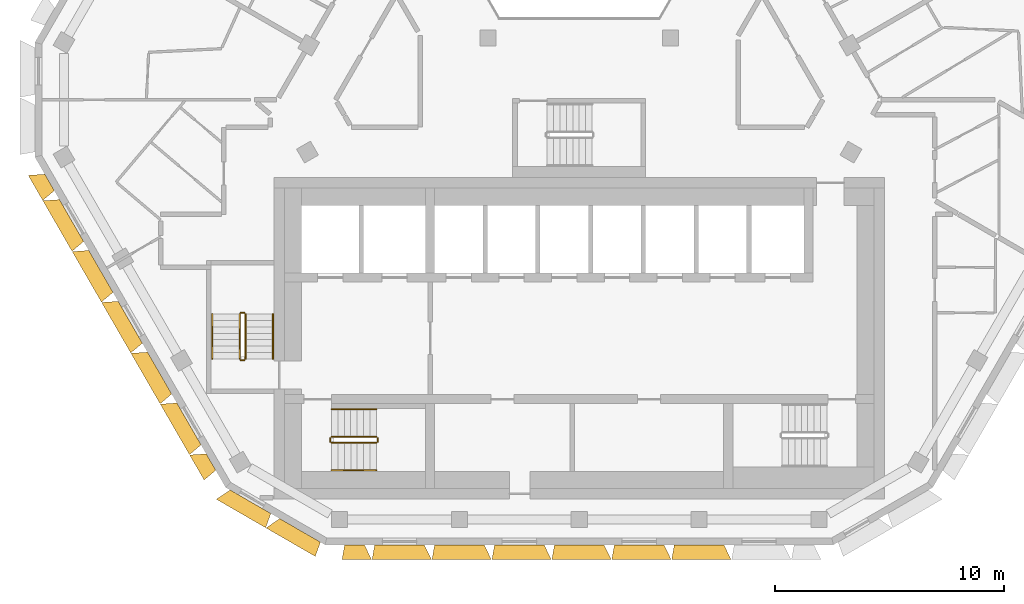
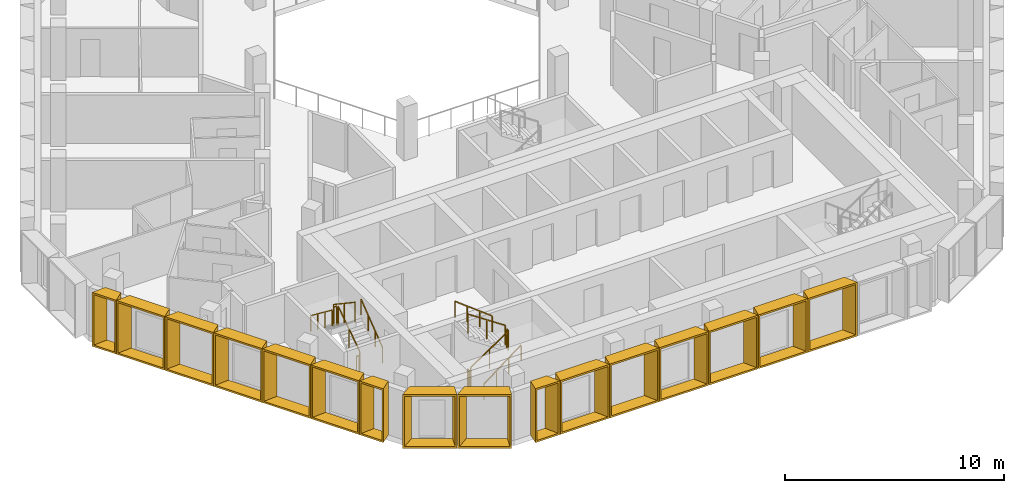
# One storey, part 11 of 15: 16 shading devices, 12 railings.
"""IFC4 building model written with IfcOpenShell, lengths in metres."""

import ifcopenshell
import ifcopenshell.guid

model = None  # the IFC model being written
_history = None  # IfcOwnerHistory: only IFC2X3 demands one
_inside = {}  # id of a spatial element -> (the spatial element, [elements in it])
_under = {}  # id of a project, library or spatial element -> (it, [spatial elements below it])
_declared = {}  # id of a project -> (the project, [libraries it declares])
_typed = {}  # id of a type object -> (the type object, [elements of that type])
_made_of = {}  # id of a material, layer set ... -> (it, [elements and type objects made of it])


def new_model(schema):
    """Start an empty IFC model of exactly this schema.

    Asked for "IFC4X3", IfcOpenShell would pick the latest addendum, in which some entities
    have other attributes; the version numbers below select the first issue.
    IFC2X3 requires an IfcOwnerHistory on every rooted entity: one is made here for all.
    """
    global model, _history
    if schema == "IFC4X3":
        model = ifcopenshell.file(schema_version=(4, 3, 0, 0))
    else:
        model = ifcopenshell.file(schema=schema)
    _inside.clear()
    _under.clear()
    _declared.clear()
    _typed.clear()
    _made_of.clear()
    _history = None
    if model.schema == "IFC2X3":
        org = make("IfcOrganization", Name="unknown")
        user = make(
            "IfcPersonAndOrganization",
            ThePerson=make("IfcPerson", FamilyName="unknown"),
            TheOrganization=org,
        )
        app = make(
            "IfcApplication",
            ApplicationDeveloper=org,
            Version="unknown",
            ApplicationFullName="unknown",
            ApplicationIdentifier="unknown",
        )
        _history = make(
            "IfcOwnerHistory",
            OwningUser=user,
            OwningApplication=app,
            ChangeAction="ADDED",
            CreationDate=0,
        )
    return model


def make(cls, **values):
    """One entity of the class cls with the attributes given. An attribute that is None is left unset."""
    return model.create_entity(
        cls, **{name: value for name, value in values.items() if value is not None}
    )


def entity(cls, *values):
    """Any entity or typed value of the class cls, its attributes in the order of the schema. None: left unset."""
    e = model.create_entity(cls)
    for i, value in enumerate(values):
        if value is not None:
            e[i] = value
    return e


def rooted(cls, **values):
    """An entity with a GlobalId (a new one), such as an element, a storey or a relation."""
    return make(cls, GlobalId=ifcopenshell.guid.new(), OwnerHistory=_history, **values)


def si_unit(unit_type, name, prefix=None):
    """IfcSIUnit, for example si_unit("LENGTHUNIT", "METRE", prefix="MILLI")."""
    return make("IfcSIUnit", UnitType=unit_type, Prefix=prefix, Name=name)


def assignment(units):
    """IfcUnitAssignment: the units of a project."""
    return None if units is None else make("IfcUnitAssignment", Units=units)


def point(xyz):
    """IfcCartesianPoint."""
    return None if xyz is None else make("IfcCartesianPoint", Coordinates=xyz)


def direction(xyz):
    """IfcDirection."""
    return None if xyz is None else make("IfcDirection", DirectionRatios=xyz)


def frame(location, z_axis=None, x_axis=None):
    """IfcAxis2Placement3D, a coordinate frame: its origin and axes. An axis left out is left unset."""
    return make(
        "IfcAxis2Placement3D",
        Location=point(location),
        Axis=direction(z_axis),
        RefDirection=direction(x_axis),
    )


def frame_2d(location, x_axis=None):
    """IfcAxis2Placement2D, a coordinate frame in the plane: its origin and x axis."""
    return make(
        "IfcAxis2Placement2D", Location=point(location), RefDirection=direction(x_axis)
    )


def origin():
    """The frame at (0, 0, 0) with its axes left unset."""
    return frame((0.0, 0.0, 0.0))


def origin_2d():
    """The frame at (0, 0) in the plane with its x axis left unset."""
    return frame_2d((0.0, 0.0))


def place(relative_to, where):
    """IfcLocalPlacement: puts the frame where relative to a parent placement (None: the world)."""
    return make(
        "IfcLocalPlacement", PlacementRelTo=relative_to, RelativePlacement=where
    )


def context(
    kind, dimensions, precision=None, world=None, true_north=None, identifier=None
):
    """IfcGeometricRepresentationContext, for example the 3D "Model" context."""
    return make(
        "IfcGeometricRepresentationContext",
        ContextIdentifier=identifier,
        ContextType=kind,
        CoordinateSpaceDimension=dimensions,
        Precision=precision,
        WorldCoordinateSystem=world,
        TrueNorth=true_north,
    )


def subcontext(parent, identifier, kind, view, scale=None):
    """IfcGeometricRepresentationSubContext, for example "Body" below "Model"."""
    return make(
        "IfcGeometricRepresentationSubContext",
        ContextIdentifier=identifier,
        ContextType=kind,
        ParentContext=parent,
        TargetScale=scale,
        TargetView=view,
    )


def project(units=None, contexts=None):
    """IfcProject with its units and contexts."""
    return rooted(
        "IfcProject",
        Name="project",
        RepresentationContexts=contexts,
        UnitsInContext=assignment(units),
    )


def spatial(cls, under=None, at=None, **own):
    """A site, building, storey or space (cls), placed at a placement, below another one or the project."""
    s = rooted(cls, ObjectPlacement=at, **own)
    if under is not None:
        _under.setdefault(under.id(), (under, []))[1].append(s)
    return s


def profile(cls, at=None, kind="AREA", **sizes):
    """A parametric profile (cls). Its sizes go by their IFC names, for example OverallWidth=200.0."""
    return make(cls, ProfileType=kind, Position=at, **sizes)


def rectangle(**sizes):
    """IfcRectangleProfileDef."""
    return profile("IfcRectangleProfileDef", **sizes)


def extrude(swept, where, along, depth):
    """IfcExtrudedAreaSolid: the profile swept, set in the frame where, extruded along a direction by depth."""
    return make(
        "IfcExtrudedAreaSolid",
        SweptArea=swept,
        Position=where,
        ExtrudedDirection=direction(along),
        Depth=depth,
    )


def shape(context_of_items, identifier, shape_type, items):
    """IfcShapeRepresentation: the items that make up one representation, for example the "Body"."""
    return make(
        "IfcShapeRepresentation",
        ContextOfItems=context_of_items,
        RepresentationIdentifier=identifier,
        RepresentationType=shape_type,
        Items=items,
    )


def source(mapping_origin, context_of_items, identifier, shape_type, items):
    """IfcRepresentationMap: a shape defined once, which mapped items show again and again."""
    return make(
        "IfcRepresentationMap",
        MappingOrigin=mapping_origin,
        MappedRepresentation=shape(context_of_items, identifier, shape_type, items),
    )


def transform(
    local_origin,
    x_axis=None,
    y_axis=None,
    z_axis=None,
    scale=None,
    scale2=None,
    scale3=None,
    uniform=True,
):
    """IfcCartesianTransformationOperator3D, or its non-uniform kind. x_axis, y_axis, z_axis: its Axis1, 2, 3."""
    if uniform:
        return make(
            "IfcCartesianTransformationOperator3D",
            Axis1=direction(x_axis),
            Axis2=direction(y_axis),
            LocalOrigin=point(local_origin),
            Scale=scale,
            Axis3=direction(z_axis),
        )
    return make(
        "IfcCartesianTransformationOperator3DnonUniform",
        Axis1=direction(x_axis),
        Axis2=direction(y_axis),
        LocalOrigin=point(local_origin),
        Scale=scale,
        Axis3=direction(z_axis),
        Scale2=scale2,
        Scale3=scale3,
    )


def mapped(mapping_source, mapping_target):
    """IfcMappedItem: shows the shape of a source again, moved by a transform."""
    return make(
        "IfcMappedItem", MappingSource=mapping_source, MappingTarget=mapping_target
    )


def material(Name=None, Category=None):
    """IfcMaterial."""
    return make("IfcMaterial", Name=Name, Category=Category)


def made_of(thing, what):
    """Note that an element or type object is made of a material, layer set ...; save() writes the relation."""
    if what is not None:
        _made_of.setdefault(what.id(), (what, []))[1].append(thing)
    return thing


def type_object(cls, material=None, **own):
    """A type object (cls), such as IfcWallType, which elements share."""
    return made_of(rooted(cls, **own), material)


def type_shapes(of_type, sources):
    """Give a type object the sources (RepresentationMaps) that its elements show as mapped items."""
    of_type.RepresentationMaps = sources


def element(
    cls,
    number,
    at=None,
    inside=None,
    cuts=None,
    type_object=None,
    material=None,
    context=None,
    identifier="Body",
    shape_type=None,
    held_by="IfcProductDefinitionShape",
    body=None,
    shapes=None,
    **own,
):
    """One element of the class cls, such as IfcWall. Its Tag is "e" and its number.

    at: its placement. inside: the storey or other place that contains it. cuts: it is an
    opening in that element (IfcRelVoidsElement). A single representation is given by context,
    identifier, shape_type and body (its items); several are given by shapes. held_by: the class
    of the entity that holds the representations. save() writes the other relations.
    """
    e = rooted(cls, Tag="e%d" % number, ObjectPlacement=at, **own)
    if body is not None:
        shapes = [shape(context, identifier, shape_type, body)]
    if shapes is not None:
        e.Representation = make(held_by, Representations=shapes)
    if inside is not None:
        _inside.setdefault(inside.id(), (inside, []))[1].append(e)
    if cuts is not None:
        rooted(
            "IfcRelVoidsElement", RelatingBuildingElement=cuts, RelatedOpeningElement=e
        )
    if type_object is not None:
        _typed.setdefault(type_object.id(), (type_object, []))[1].append(e)
    return made_of(e, material)


def aggregate(whole, parts):
    """IfcRelAggregates: a whole, such as a stair, and the parts it consists of."""
    return rooted("IfcRelAggregates", RelatingObject=whole, RelatedObjects=parts)


def save(model, path):
    """Write the relations noted so far, then the file.

    IfcRelAggregates (storeys below a building ...), IfcRelContainedInSpatialStructure (elements
    in a storey), IfcRelDefinesByType, IfcRelAssociatesMaterial and IfcRelDeclares: one each for
    every whole, place, type object, material and project.
    """
    for whole, parts in _under.values():
        aggregate(whole, parts)
    for where, things in _inside.values():
        rooted(
            "IfcRelContainedInSpatialStructure",
            RelatedElements=things,
            RelatingStructure=where,
        )
    for kind, things in _typed.values():
        rooted("IfcRelDefinesByType", RelatedObjects=things, RelatingType=kind)
    for what, things in _made_of.values():
        rooted("IfcRelAssociatesMaterial", RelatedObjects=things, RelatingMaterial=what)
    for by, libraries in _declared.values():
        rooted("IfcRelDeclares", RelatingContext=by, RelatedDefinitions=libraries)
    model.write(path)


model = new_model("IFC4")

# Units and contexts
model_context = context("Model", 3, precision=1e-05, world=origin(), true_north=direction((0.0, 1.0)))
body_context = subcontext(model_context, "Body", "Model", "MODEL_VIEW")
ifc_project = project(units=[si_unit("LENGTHUNIT", "METRE"), si_unit("AREAUNIT", "SQUARE_METRE"), si_unit("VOLUMEUNIT", "CUBIC_METRE"), si_unit("PLANEANGLEUNIT", "RADIAN"), si_unit("MASSUNIT", "GRAM", prefix="KILO")], contexts=[model_context])

# Site, building, storey
site_placement = place(None, origin())
site = spatial("IfcSite", under=ifc_project, at=site_placement, CompositionType="ELEMENT")
building_placement = place(site_placement, origin())
building = spatial("IfcBuilding", under=site, at=building_placement, Name="Beryl Residences", CompositionType="ELEMENT")
storey_placement = place(building_placement, frame((0.0, 0.0, 211.800048828125)))
storey = spatial("IfcBuildingStorey", under=building, at=storey_placement, Name="L65", CompositionType="ELEMENT", Elevation=211.800048828125)

# Shading devices
ifc_material_1 = material(Name="Aluminium pale anodised", Category="aluminium")
shading_device_type_1 = type_object("IfcShadingDeviceType", Name="FR128-65B OUTER SKIN frame 650 mm deep, splay 26/10 deg, 1280 x 3000 mm cell", PredefinedType="USERDEFINED", material=ifc_material_1)
cartesian_point_1 = entity("IfcCartesianPoint", [-0.4140625, 0.0])
cartesian_point_2 = entity("IfcCartesianPoint", [-0.324951171875, 0.10009765625])
cartesian_point_3 = entity("IfcCartesianPoint", [-0.73095703125, 0.0])
cartesian_point_4 = entity("IfcCartesianPoint", [-0.64208984375, 0.10009765625])
shared_shape_1 = source(origin(), body_context, "Body", "SweptSolid", [
    entity("IfcExtrudedAreaSolidTapered", entity("IfcArbitraryProfileDefWithVoids", "AREA", None, entity("IfcPolyline", [cartesian_point_1, entity("IfcCartesianPoint", [0.4140625, 0.0]), entity("IfcCartesianPoint", [0.4140625, 3.0]), entity("IfcCartesianPoint", [-0.4140625, 3.0]), cartesian_point_1]), [entity("IfcPolyline", [cartesian_point_2, entity("IfcCartesianPoint", [0.332763671875, 0.10009765625]), entity("IfcCartesianPoint", [0.332763671875, 2.89990234375]), entity("IfcCartesianPoint", [-0.324951171875, 2.89990234375]), cartesian_point_2])]), entity("IfcAxis2Placement3D", entity("IfcCartesianPoint", [0.0, 0.0, 0.0]), entity("IfcDirection", [0.0, 1.0, 0.0]), entity("IfcDirection", [-1.0, 0.0, 0.0])), entity("IfcDirection", [0.0, 0.0, 1.0]), 0.64990234375, entity("IfcArbitraryProfileDefWithVoids", "AREA", None, entity("IfcPolyline", [cartesian_point_3, entity("IfcCartesianPoint", [0.528564453125, 0.0]), entity("IfcCartesianPoint", [0.528564453125, 3.0]), entity("IfcCartesianPoint", [-0.73095703125, 3.0]), cartesian_point_3]), [entity("IfcPolyline", [cartesian_point_4, entity("IfcCartesianPoint", [0.447265625, 0.10009765625]), entity("IfcCartesianPoint", [0.447265625, 2.89990234375]), entity("IfcCartesianPoint", [-0.64208984375, 2.89990234375]), cartesian_point_4])])),
])
type_shapes(shading_device_type_1, [shared_shape_1])
for number, where, z_axis, x_axis, name in (
    (1, (-23.091064453125, -5.2041015625, 0.0), (0.0, 0.0, 1.0), (-0.5, 0.866025403784, 0.0), "FR128-65B frame L65 SW 1"),
    (2, (-16.052978515625, -17.39501953125, 0.0), (0.0, 0.0, 1.0), (-0.5, 0.866025403784, 0.0), "FR128-65B frame L65 SW 7"),
):
    element("IfcShadingDevice", number, at=place(storey_placement, frame(where, z_axis=z_axis, x_axis=x_axis)), inside=storey, type_object=shading_device_type_1, Name=name, ObjectType="OUTER SKIN", PredefinedType="USERDEFINED", context=body_context, shape_type="MappedRepresentation", body=[
        mapped(shared_shape_1, transform((0.0, 0.0, 0.0))),
    ])
ifc_material_2 = material(Name="Aluminium pale anodised", Category="aluminium")
shading_device_type_2 = type_object("IfcShadingDeviceType", Name="FR131-65C OUTER SKIN frame 650 mm deep, splay 10/26 deg, 1310 x 3000 mm cell", PredefinedType="USERDEFINED", material=ifc_material_2)
cartesian_point_5 = entity("IfcCartesianPoint", [-0.428955078125, 0.0])
cartesian_point_6 = entity("IfcCartesianPoint", [-0.34765625, 0.10009765625])
cartesian_point_7 = entity("IfcCartesianPoint", [-0.543701171875, 0.0])
cartesian_point_8 = entity("IfcCartesianPoint", [-0.46240234375, 0.10009765625])
shared_shape_2 = source(origin(), body_context, "Body", "SweptSolid", [
    entity("IfcExtrudedAreaSolidTapered", entity("IfcArbitraryProfileDefWithVoids", "AREA", None, entity("IfcPolyline", [cartesian_point_5, entity("IfcCartesianPoint", [0.428955078125, 0.0]), entity("IfcCartesianPoint", [0.428955078125, 3.0]), entity("IfcCartesianPoint", [-0.428955078125, 3.0]), cartesian_point_5]), [entity("IfcPolyline", [cartesian_point_6, entity("IfcCartesianPoint", [0.340087890625, 0.10009765625]), entity("IfcCartesianPoint", [0.340087890625, 2.89990234375]), entity("IfcCartesianPoint", [-0.34765625, 2.89990234375]), cartesian_point_6])]), entity("IfcAxis2Placement3D", entity("IfcCartesianPoint", [0.0, 0.0, 0.0]), entity("IfcDirection", [0.0, 1.0, 0.0]), entity("IfcDirection", [-1.0, 0.0, 0.0])), entity("IfcDirection", [0.0, 0.0, 1.0]), 0.64990234375, entity("IfcArbitraryProfileDefWithVoids", "AREA", None, entity("IfcPolyline", [cartesian_point_7, entity("IfcCartesianPoint", [0.74609375, 0.0]), entity("IfcCartesianPoint", [0.74609375, 3.0]), entity("IfcCartesianPoint", [-0.543701171875, 3.0]), cartesian_point_7]), [entity("IfcPolyline", [cartesian_point_8, entity("IfcCartesianPoint", [0.656982421875, 0.10009765625]), entity("IfcCartesianPoint", [0.656982421875, 2.89990234375]), entity("IfcCartesianPoint", [-0.46240234375, 2.89990234375]), cartesian_point_8])])),
])
type_shapes(shading_device_type_2, [shared_shape_2])
shading_device_placement = place(storey_placement, frame((-9.797119140625, -21.0, 0.0), z_axis=(0.0, 0.0, 1.0), x_axis=(-1.0, 0.0, 0.0)))
element("IfcShadingDevice", 3, at=shading_device_placement, inside=storey, type_object=shading_device_type_2, Name="FR131-65C frame L65 S 1", ObjectType="OUTER SKIN", PredefinedType="USERDEFINED", context=body_context, shape_type="MappedRepresentation", body=[
    mapped(shared_shape_2, transform((0.0, 0.0, 0.0))),
])
ifc_material_3 = material(Name="Aluminium pale anodised", Category="aluminium")
shading_device_type_3 = type_object("IfcShadingDeviceType", Name="FR250-65B OUTER SKIN frame 650 mm deep, splay 26/10 deg, 2500 x 3000 mm cell", PredefinedType="USERDEFINED", material=ifc_material_3)
cartesian_point_9 = entity("IfcCartesianPoint", [-1.02392578125, 0.0])
cartesian_point_10 = entity("IfcCartesianPoint", [-0.93505859375, 0.10009765625])
cartesian_point_11 = entity("IfcCartesianPoint", [-1.341064453125, 0.0])
cartesian_point_12 = entity("IfcCartesianPoint", [-1.251953125, 0.10009765625])
shared_shape_3 = source(origin(), body_context, "Body", "SweptSolid", [
    entity("IfcExtrudedAreaSolidTapered", entity("IfcArbitraryProfileDefWithVoids", "AREA", None, entity("IfcPolyline", [cartesian_point_9, entity("IfcCartesianPoint", [1.02392578125, 0.0]), entity("IfcCartesianPoint", [1.02392578125, 3.0]), entity("IfcCartesianPoint", [-1.02392578125, 3.0]), cartesian_point_9]), [entity("IfcPolyline", [cartesian_point_10, entity("IfcCartesianPoint", [0.94287109375, 0.10009765625]), entity("IfcCartesianPoint", [0.94287109375, 2.89990234375]), entity("IfcCartesianPoint", [-0.93505859375, 2.89990234375]), cartesian_point_10])]), entity("IfcAxis2Placement3D", entity("IfcCartesianPoint", [0.0, 0.0, 0.0]), entity("IfcDirection", [0.0, 1.0, 0.0]), entity("IfcDirection", [-1.0, 0.0, 0.0])), entity("IfcDirection", [0.0, 0.0, 1.0]), 0.64990234375, entity("IfcArbitraryProfileDefWithVoids", "AREA", None, entity("IfcPolyline", [cartesian_point_11, entity("IfcCartesianPoint", [1.138671875, 0.0]), entity("IfcCartesianPoint", [1.138671875, 3.0]), entity("IfcCartesianPoint", [-1.341064453125, 3.0]), cartesian_point_11]), [entity("IfcPolyline", [cartesian_point_12, entity("IfcCartesianPoint", [1.057373046875, 0.10009765625]), entity("IfcCartesianPoint", [1.057373046875, 2.89990234375]), entity("IfcCartesianPoint", [-1.251953125, 2.89990234375]), cartesian_point_12])])),
])
type_shapes(shading_device_type_3, [shared_shape_3])
for number, where, z_axis, x_axis, name in (
    (4, (-14.33203125, -19.125, 0.0), (0.0, 0.0, 1.0), (-0.866025403784, 0.5, 0.0), "FR250-65B frame L65 SW-S 1"),
    (5, (-12.16796875, -20.375, 0.0), (0.0, 0.0, 1.0), (-0.866025403784, 0.5, 0.0), "FR250-65B frame L65 SW-S 2"),
):
    element("IfcShadingDevice", number, at=place(storey_placement, frame(where, z_axis=z_axis, x_axis=x_axis)), inside=storey, type_object=shading_device_type_3, Name=name, ObjectType="OUTER SKIN", PredefinedType="USERDEFINED", context=body_context, shape_type="MappedRepresentation", body=[
        mapped(shared_shape_3, transform((0.0, 0.0, 0.0))),
    ])
ifc_material_4 = material(Name="Aluminium pale anodised", Category="aluminium")
shading_device_type_4 = type_object("IfcShadingDeviceType", Name="FR256-65B OUTER SKIN frame 650 mm deep, splay 26/10 deg, 2560 x 3000 mm cell", PredefinedType="USERDEFINED", material=ifc_material_4)
cartesian_point_13 = entity("IfcCartesianPoint", [-1.053955078125, 0.0])
cartesian_point_14 = entity("IfcCartesianPoint", [-0.965087890625, 0.10009765625])
cartesian_point_15 = entity("IfcCartesianPoint", [-1.37109375, 0.0])
cartesian_point_16 = entity("IfcCartesianPoint", [-1.281982421875, 0.10009765625])
shared_shape_4 = source(origin(), body_context, "Body", "SweptSolid", [
    entity("IfcExtrudedAreaSolidTapered", entity("IfcArbitraryProfileDefWithVoids", "AREA", None, entity("IfcPolyline", [cartesian_point_13, entity("IfcCartesianPoint", [1.053955078125, 0.0]), entity("IfcCartesianPoint", [1.053955078125, 3.0]), entity("IfcCartesianPoint", [-1.053955078125, 3.0]), cartesian_point_13]), [entity("IfcPolyline", [cartesian_point_14, entity("IfcCartesianPoint", [0.97265625, 0.10009765625]), entity("IfcCartesianPoint", [0.97265625, 2.89990234375]), entity("IfcCartesianPoint", [-0.965087890625, 2.89990234375]), cartesian_point_14])]), entity("IfcAxis2Placement3D", entity("IfcCartesianPoint", [0.0, 0.0, 0.0]), entity("IfcDirection", [0.0, 1.0, 0.0]), entity("IfcDirection", [-1.0, 0.0, 0.0])), entity("IfcDirection", [0.0, 0.0, 1.0]), 0.64990234375, entity("IfcArbitraryProfileDefWithVoids", "AREA", None, entity("IfcPolyline", [cartesian_point_15, entity("IfcCartesianPoint", [1.168701171875, 0.0]), entity("IfcCartesianPoint", [1.168701171875, 3.0]), entity("IfcCartesianPoint", [-1.37109375, 3.0]), cartesian_point_15]), [entity("IfcPolyline", [cartesian_point_16, entity("IfcCartesianPoint", [1.08740234375, 0.10009765625]), entity("IfcCartesianPoint", [1.08740234375, 2.89990234375]), entity("IfcCartesianPoint", [-1.281982421875, 2.89990234375]), cartesian_point_16])])),
])
type_shapes(shading_device_type_4, [shared_shape_4])
for number, where, z_axis, x_axis, name in (
    (6, (-22.132080078125, -6.865966796875, 0.0), (0.0, 0.0, 1.0), (-0.5, 0.866025403784, 0.0), "FR256-65B frame L65 SW 2"),
    (7, (-20.85205078125, -9.0830078125, 0.0), (0.0, 0.0, 1.0), (-0.5, 0.866025403784, 0.0), "FR256-65B frame L65 SW 3"),
    (8, (-19.572021484375, -11.300048828125, 0.0), (0.0, 0.0, 1.0), (-0.5, 0.866025403784, 0.0), "FR256-65B frame L65 SW 4"),
    (9, (-18.29296875, -13.51611328125, 0.0), (0.0, 0.0, 1.0), (-0.5, 0.866025403784, 0.0), "FR256-65B frame L65 SW 5"),
    (10, (-17.012939453125, -15.73291015625, 0.0), (0.0, 0.0, 1.0), (-0.5, 0.866025403784, 0.0), "FR256-65B frame L65 SW 6"),
):
    element("IfcShadingDevice", number, at=place(storey_placement, frame(where, z_axis=z_axis, x_axis=x_axis)), inside=storey, type_object=shading_device_type_4, Name=name, ObjectType="OUTER SKIN", PredefinedType="USERDEFINED", context=body_context, shape_type="MappedRepresentation", body=[
        mapped(shared_shape_4, transform((0.0, 0.0, 0.0))),
    ])
ifc_material_5 = material(Name="Aluminium pale anodised", Category="aluminium")
shading_device_type_5 = type_object("IfcShadingDeviceType", Name="FR261-65C OUTER SKIN frame 650 mm deep, splay 10/26 deg, 2610 x 3000 mm cell", PredefinedType="USERDEFINED", material=ifc_material_5)
cartesian_point_17 = entity("IfcCartesianPoint", [-1.0791015625, 0.0])
cartesian_point_18 = entity("IfcCartesianPoint", [-0.997802734375, 0.10009765625])
cartesian_point_19 = entity("IfcCartesianPoint", [-1.193603515625, 0.0])
cartesian_point_20 = entity("IfcCartesianPoint", [-1.1123046875, 0.10009765625])
shared_shape_5 = source(origin(), body_context, "Body", "SweptSolid", [
    entity("IfcExtrudedAreaSolidTapered", entity("IfcArbitraryProfileDefWithVoids", "AREA", None, entity("IfcPolyline", [cartesian_point_17, entity("IfcCartesianPoint", [1.0791015625, 0.0]), entity("IfcCartesianPoint", [1.0791015625, 3.0]), entity("IfcCartesianPoint", [-1.0791015625, 3.0]), cartesian_point_17]), [entity("IfcPolyline", [cartesian_point_18, entity("IfcCartesianPoint", [0.989990234375, 0.10009765625]), entity("IfcCartesianPoint", [0.989990234375, 2.89990234375]), entity("IfcCartesianPoint", [-0.997802734375, 2.89990234375]), cartesian_point_18])]), entity("IfcAxis2Placement3D", entity("IfcCartesianPoint", [0.0, 0.0, 0.0]), entity("IfcDirection", [0.0, 1.0, 0.0]), entity("IfcDirection", [-1.0, 0.0, 0.0])), entity("IfcDirection", [0.0, 0.0, 1.0]), 0.64990234375, entity("IfcArbitraryProfileDefWithVoids", "AREA", None, entity("IfcPolyline", [cartesian_point_19, entity("IfcCartesianPoint", [1.39599609375, 0.0]), entity("IfcCartesianPoint", [1.39599609375, 3.0]), entity("IfcCartesianPoint", [-1.193603515625, 3.0]), cartesian_point_19]), [entity("IfcPolyline", [cartesian_point_20, entity("IfcCartesianPoint", [1.30712890625, 0.10009765625]), entity("IfcCartesianPoint", [1.30712890625, 2.89990234375]), entity("IfcCartesianPoint", [-1.1123046875, 2.89990234375]), cartesian_point_20])])),
])
type_shapes(shading_device_type_5, [shared_shape_5])
for number, where, z_axis, x_axis, name in (
    (11, (-7.8369140625, -21.0, 0.0), (0.0, 0.0, 1.0), (-1.0, 0.0, 0.0), "FR261-65C frame L65 S 2"),
    (12, (-5.22509765625, -21.0, 0.0), (0.0, 0.0, 1.0), (-1.0, 0.0, 0.0), "FR261-65C frame L65 S 3"),
    (13, (-2.612060546875, -21.0, 0.0), (0.0, 0.0, 1.0), (-1.0, 0.0, 0.0), "FR261-65C frame L65 S 4"),
    (14, (0.0, -21.0, 0.0), (0.0, 0.0, 1.0), (-1.0, 0.0, 0.0), "FR261-65C frame L65 S 5"),
    (15, (2.612060546875, -21.0, 0.0), (0.0, 0.0, 1.0), (-1.0, 0.0, 0.0), "FR261-65C frame L65 S 6"),
    (16, (5.22509765625, -21.0, 0.0), (0.0, 0.0, 1.0), (-1.0, 0.0, 0.0), "FR261-65C frame L65 S 7"),
):
    element("IfcShadingDevice", number, at=place(storey_placement, frame(where, z_axis=z_axis, x_axis=x_axis)), inside=storey, type_object=shading_device_type_5, Name=name, ObjectType="OUTER SKIN", PredefinedType="USERDEFINED", context=body_context, shape_type="MappedRepresentation", body=[
        mapped(shared_shape_5, transform((0.0, 0.0, 0.0))),
    ])

# Railings
ifc_material_6 = material(Name="Stainless steel balustrade with glass infill", Category="steel")
railing_type_1 = type_object("IfcRailingType", Name="SG1 stair guard 1100 mm", PredefinedType="GUARDRAIL", material=ifc_material_6)
railing_1_placement = place(storey_placement, frame((-10.800048828125, -16.550048828125, 0.1875)))
element("IfcRailing", 17, at=railing_1_placement, inside=storey, type_object=railing_type_1, Name="L65 ST-1 stair guard 1", PredefinedType="GUARDRAIL", context=body_context, shape_type="SweptSolid", body=[
    extrude(rectangle(XDim=0.048095703125, YDim=0.048095703125, at=origin_2d()), frame((0.0, 0.0, 1.076171875), z_axis=(0.830902050051, 0.0, 0.556418712142), x_axis=(0.0, 1.0, 0.0)), (0.0, 0.0, 1.0), 2.35888671875),
    extrude(rectangle(XDim=0.0419921875, YDim=0.0419921875, at=origin_2d()), origin(), (0.0, 0.0, 1.0), 1.052001953125),
    extrude(rectangle(XDim=0.0419921875, YDim=0.0419921875, at=origin_2d()), frame((0.97998046875, 0.0, 0.65625)), (0.0, 0.0, 1.0), 1.052001953125),
    extrude(rectangle(XDim=0.0419921875, YDim=0.0419921875, at=origin_2d()), frame((1.9599609375, 0.0, 1.3125)), (0.0, 0.0, 1.0), 1.052001953125),
])
railing_2_placement = place(storey_placement, frame((-8.7900390625, -16.5, 1.5)))
element("IfcRailing", 18, at=railing_2_placement, inside=storey, type_object=railing_type_1, Name="L65 ST-1 stair guard 2", PredefinedType="GUARDRAIL", context=body_context, shape_type="SweptSolid", body=[
    extrude(rectangle(XDim=0.048095703125, YDim=0.048095703125, at=origin_2d()), frame((0.0, 0.0, 1.076171875), z_axis=(0.0, 1.0, 0.0), x_axis=(-1.0, 0.0, 0.0)), (0.0, 0.0, 1.0), 0.14990234375),
    extrude(rectangle(XDim=0.0419921875, YDim=0.0419921875, at=origin_2d()), origin(), (0.0, 0.0, 1.0), 1.052001953125),
    extrude(rectangle(XDim=0.0419921875, YDim=0.0419921875, at=origin_2d()), frame((0.0, 0.14990234375, 0.0)), (0.0, 0.0, 1.0), 1.052001953125),
])
railing_3_placement = place(storey_placement, frame((-8.840087890625, -16.300048828125, 1.6875)))
element("IfcRailing", 19, at=railing_3_placement, inside=storey, type_object=railing_type_1, Name="L65 ST-1 stair guard 3", PredefinedType="GUARDRAIL", context=body_context, shape_type="SweptSolid", body=[
    extrude(rectangle(XDim=0.048095703125, YDim=0.048095703125, at=origin_2d()), frame((0.0, 0.0, 1.076171875), z_axis=(-0.830902050051, 0.0, 0.556418712142), x_axis=(0.0, -1.0, 0.0)), (0.0, 0.0, 1.0), 2.35888671875),
    extrude(rectangle(XDim=0.0419921875, YDim=0.0419921875, at=origin_2d()), origin(), (0.0, 0.0, 1.0), 1.052001953125),
    extrude(rectangle(XDim=0.0419921875, YDim=0.0419921875, at=origin_2d()), frame((-0.97998046875, 0.0, 0.65625)), (0.0, 0.0, 1.0), 1.052001953125),
    extrude(rectangle(XDim=0.0419921875, YDim=0.0419921875, at=origin_2d()), frame((-1.9599609375, 0.0, 1.3125)), (0.0, 0.0, 1.0), 1.052001953125),
])
railing_4_placement = place(storey_placement, frame((-10.85009765625, -16.5, 0.0)))
element("IfcRailing", 20, at=railing_4_placement, inside=storey, type_object=railing_type_1, Name="L65 ST-1 stair guard 4", PredefinedType="GUARDRAIL", context=body_context, shape_type="SweptSolid", body=[
    extrude(rectangle(XDim=0.048095703125, YDim=0.048095703125, at=origin_2d()), frame((0.0, 0.0, 1.076171875), z_axis=(0.0, 1.0, 0.0), x_axis=(-1.0, 0.0, 0.0)), (0.0, 0.0, 1.0), 0.14990234375),
    extrude(rectangle(XDim=0.0419921875, YDim=0.0419921875, at=origin_2d()), origin(), (0.0, 0.0, 1.0), 1.052001953125),
    extrude(rectangle(XDim=0.0419921875, YDim=0.0419921875, at=origin_2d()), frame((0.0, 0.14990234375, 0.0)), (0.0, 0.0, 1.0), 1.052001953125),
])
railing_5_placement = place(storey_placement, frame((-14.550048828125, -12.89990234375, 0.1875)))
element("IfcRailing", 21, at=railing_5_placement, inside=storey, type_object=railing_type_1, Name="L65 ST-2 stair guard 1", PredefinedType="GUARDRAIL", context=body_context, shape_type="SweptSolid", body=[
    extrude(rectangle(XDim=0.048095703125, YDim=0.048095703125, at=origin_2d()), frame((0.0, 0.0, 1.076171875), z_axis=(0.0, 0.830902050051, 0.556418712142), x_axis=(-1.0, 0.0, 0.0)), (0.0, 0.0, 1.0), 2.35888671875),
    extrude(rectangle(XDim=0.0419921875, YDim=0.0419921875, at=origin_2d()), origin(), (0.0, 0.0, 1.0), 1.052001953125),
    extrude(rectangle(XDim=0.0419921875, YDim=0.0419921875, at=origin_2d()), frame((0.0, 0.97998046875, 0.65625)), (0.0, 0.0, 1.0), 1.052001953125),
    extrude(rectangle(XDim=0.0419921875, YDim=0.0419921875, at=origin_2d()), frame((0.0, 1.9599609375, 1.3125)), (0.0, 0.0, 1.0), 1.052001953125),
])
railing_6_placement = place(storey_placement, frame((-14.60009765625, -10.889892578125, 1.5)))
element("IfcRailing", 22, at=railing_6_placement, inside=storey, type_object=railing_type_1, Name="L65 ST-2 stair guard 2", PredefinedType="GUARDRAIL", context=body_context, shape_type="SweptSolid", body=[
    extrude(rectangle(XDim=0.048095703125, YDim=0.048095703125, at=origin_2d()), frame((0.0, 0.0, 1.076171875), z_axis=(-1.0, 0.0, 0.0), x_axis=(0.0, -1.0, 0.0)), (0.0, 0.0, 1.0), 0.14990234375),
    extrude(rectangle(XDim=0.0419921875, YDim=0.0419921875, at=origin_2d()), origin(), (0.0, 0.0, 1.0), 1.052001953125),
    extrude(rectangle(XDim=0.0419921875, YDim=0.0419921875, at=origin_2d()), frame((-0.14990234375, 0.0, 0.0)), (0.0, 0.0, 1.0), 1.052001953125),
])
railing_7_placement = place(storey_placement, frame((-14.800048828125, -10.93994140625, 1.6875)))
element("IfcRailing", 23, at=railing_7_placement, inside=storey, type_object=railing_type_1, Name="L65 ST-2 stair guard 3", PredefinedType="GUARDRAIL", context=body_context, shape_type="SweptSolid", body=[
    extrude(rectangle(XDim=0.048095703125, YDim=0.048095703125, at=origin_2d()), frame((0.0, 0.0, 1.076171875), z_axis=(0.0, -0.830902050051, 0.556418712142), x_axis=(1.0, 0.0, 0.0)), (0.0, 0.0, 1.0), 2.35888671875),
    extrude(rectangle(XDim=0.0419921875, YDim=0.0419921875, at=origin_2d()), origin(), (0.0, 0.0, 1.0), 1.052001953125),
    extrude(rectangle(XDim=0.0419921875, YDim=0.0419921875, at=origin_2d()), frame((0.0, -0.97998046875, 0.65625)), (0.0, 0.0, 1.0), 1.052001953125),
    extrude(rectangle(XDim=0.0419921875, YDim=0.0419921875, at=origin_2d()), frame((0.0, -1.9599609375, 1.3125)), (0.0, 0.0, 1.0), 1.052001953125),
])
railing_8_placement = place(storey_placement, frame((-14.60009765625, -12.949951171875, 0.0)))
element("IfcRailing", 24, at=railing_8_placement, inside=storey, type_object=railing_type_1, Name="L65 ST-2 stair guard 4", PredefinedType="GUARDRAIL", context=body_context, shape_type="SweptSolid", body=[
    extrude(rectangle(XDim=0.048095703125, YDim=0.048095703125, at=origin_2d()), frame((0.0, 0.0, 1.076171875), z_axis=(-1.0, 0.0, 0.0), x_axis=(0.0, -1.0, 0.0)), (0.0, 0.0, 1.0), 0.14990234375),
    extrude(rectangle(XDim=0.0419921875, YDim=0.0419921875, at=origin_2d()), origin(), (0.0, 0.0, 1.0), 1.052001953125),
    extrude(rectangle(XDim=0.0419921875, YDim=0.0419921875, at=origin_2d()), frame((-0.14990234375, 0.0, 0.0)), (0.0, 0.0, 1.0), 1.052001953125),
])
ifc_material_7 = material(Name="Stainless steel handrail", Category="steel")
railing_type_2 = type_object("IfcRailingType", Name="SRL1 stair handrail 900 mm", PredefinedType="HANDRAIL", material=ifc_material_7)
railing_9_placement = place(storey_placement, frame((-10.800048828125, -17.75, 0.1875)))
element("IfcRailing", 25, at=railing_9_placement, inside=storey, type_object=railing_type_2, Name="L65 ST-1 stair handrail 1", PredefinedType="HANDRAIL", context=body_context, shape_type="SweptSolid", body=[
    extrude(rectangle(XDim=0.048095703125, YDim=0.048095703125, at=origin_2d()), frame((0.0, 0.0, 0.8759765625), z_axis=(0.794121922505, 0.0, 0.607758481798), x_axis=(0.0, 1.0, 0.0)), (0.0, 0.0, 1.0), 2.468017578125),
    extrude(rectangle(XDim=0.0419921875, YDim=0.0419921875, at=origin_2d()), origin(), (0.0, 0.0, 1.0), 0.851806640625),
    extrude(rectangle(XDim=0.0419921875, YDim=0.0419921875, at=origin_2d()), frame((0.6533203125, 0.0, 0.5)), (0.0, 0.0, 1.0), 0.851806640625),
    extrude(rectangle(XDim=0.0419921875, YDim=0.0419921875, at=origin_2d()), frame((1.306640625, 0.0, 1.0)), (0.0, 0.0, 1.0), 0.851806640625),
    extrude(rectangle(XDim=0.0419921875, YDim=0.0419921875, at=origin_2d()), frame((1.9599609375, 0.0, 1.5)), (0.0, 0.0, 1.0), 0.851806640625),
])
railing_10_placement = place(storey_placement, frame((-8.840087890625, -15.10009765625, 1.6875)))
element("IfcRailing", 26, at=railing_10_placement, inside=storey, type_object=railing_type_2, Name="L65 ST-1 stair handrail 2", PredefinedType="HANDRAIL", context=body_context, shape_type="SweptSolid", body=[
    extrude(rectangle(XDim=0.048095703125, YDim=0.048095703125, at=origin_2d()), frame((0.0, 0.0, 0.8759765625), z_axis=(-0.794121922505, 0.0, 0.607758481798), x_axis=(0.0, -1.0, 0.0)), (0.0, 0.0, 1.0), 2.468017578125),
    extrude(rectangle(XDim=0.0419921875, YDim=0.0419921875, at=origin_2d()), origin(), (0.0, 0.0, 1.0), 0.851806640625),
    extrude(rectangle(XDim=0.0419921875, YDim=0.0419921875, at=origin_2d()), frame((-0.6533203125, 0.0, 0.5)), (0.0, 0.0, 1.0), 0.851806640625),
    extrude(rectangle(XDim=0.0419921875, YDim=0.0419921875, at=origin_2d()), frame((-1.306640625, 0.0, 1.0)), (0.0, 0.0, 1.0), 0.851806640625),
    extrude(rectangle(XDim=0.0419921875, YDim=0.0419921875, at=origin_2d()), frame((-1.9599609375, 0.0, 1.5)), (0.0, 0.0, 1.0), 0.851806640625),
])
railing_11_placement = place(storey_placement, frame((-13.35009765625, -12.89990234375, 0.1875)))
element("IfcRailing", 27, at=railing_11_placement, inside=storey, type_object=railing_type_2, Name="L65 ST-2 stair handrail 1", PredefinedType="HANDRAIL", context=body_context, shape_type="SweptSolid", body=[
    extrude(rectangle(XDim=0.048095703125, YDim=0.048095703125, at=origin_2d()), frame((0.0, 0.0, 0.8759765625), z_axis=(0.0, 0.794121922505, 0.607758481798), x_axis=(-1.0, 0.0, 0.0)), (0.0, 0.0, 1.0), 2.468017578125),
    extrude(rectangle(XDim=0.0419921875, YDim=0.0419921875, at=origin_2d()), origin(), (0.0, 0.0, 1.0), 0.851806640625),
    extrude(rectangle(XDim=0.0419921875, YDim=0.0419921875, at=origin_2d()), frame((0.0, 0.6533203125, 0.5)), (0.0, 0.0, 1.0), 0.851806640625),
    extrude(rectangle(XDim=0.0419921875, YDim=0.0419921875, at=origin_2d()), frame((0.0, 1.306640625, 1.0)), (0.0, 0.0, 1.0), 0.851806640625),
    extrude(rectangle(XDim=0.0419921875, YDim=0.0419921875, at=origin_2d()), frame((0.0, 1.9599609375, 1.5)), (0.0, 0.0, 1.0), 0.851806640625),
])
railing_12_placement = place(storey_placement, frame((-16.0, -10.93994140625, 1.6875)))
element("IfcRailing", 28, at=railing_12_placement, inside=storey, type_object=railing_type_2, Name="L65 ST-2 stair handrail 2", PredefinedType="HANDRAIL", context=body_context, shape_type="SweptSolid", body=[
    extrude(rectangle(XDim=0.048095703125, YDim=0.048095703125, at=origin_2d()), frame((0.0, 0.0, 0.8759765625), z_axis=(0.0, -0.794121922505, 0.607758481798), x_axis=(1.0, 0.0, 0.0)), (0.0, 0.0, 1.0), 2.468017578125),
    extrude(rectangle(XDim=0.0419921875, YDim=0.0419921875, at=origin_2d()), origin(), (0.0, 0.0, 1.0), 0.851806640625),
    extrude(rectangle(XDim=0.0419921875, YDim=0.0419921875, at=origin_2d()), frame((0.0, -0.6533203125, 0.5)), (0.0, 0.0, 1.0), 0.851806640625),
    extrude(rectangle(XDim=0.0419921875, YDim=0.0419921875, at=origin_2d()), frame((0.0, -1.306640625, 1.0)), (0.0, 0.0, 1.0), 0.851806640625),
    extrude(rectangle(XDim=0.0419921875, YDim=0.0419921875, at=origin_2d()), frame((0.0, -1.9599609375, 1.5)), (0.0, 0.0, 1.0), 0.851806640625),
])

save(model, "model.ifc")
